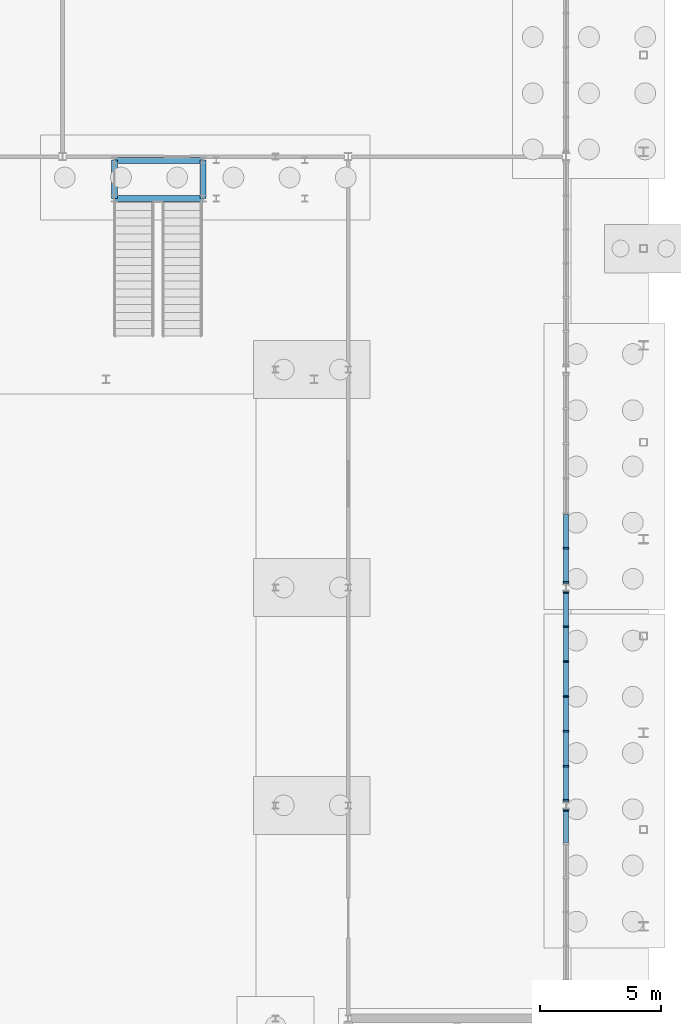
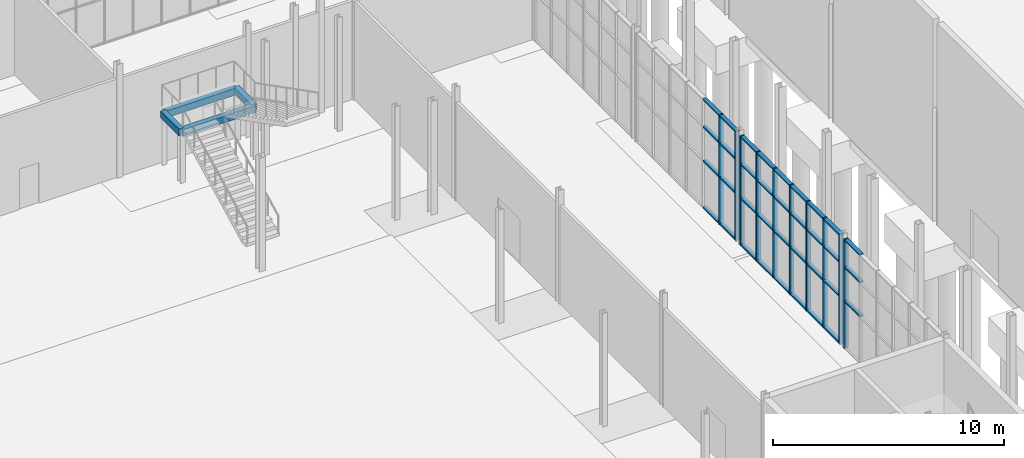
# One storey, part 69 of 131: 45 members, 4 beams, 3 elements without a shape of their own.
"""IFC4 building model written with IfcOpenShell, lengths in metres."""

import ifcopenshell
import ifcopenshell.guid

model = None  # the IFC model being written
_history = None  # IfcOwnerHistory: only IFC2X3 demands one
_inside = {}  # id of a spatial element -> (the spatial element, [elements in it])
_under = {}  # id of a project, library or spatial element -> (it, [spatial elements below it])
_declared = {}  # id of a project -> (the project, [libraries it declares])
_typed = {}  # id of a type object -> (the type object, [elements of that type])
_made_of = {}  # id of a material, layer set ... -> (it, [elements and type objects made of it])


def new_model(schema):
    """Start an empty IFC model of exactly this schema.

    Asked for "IFC4X3", IfcOpenShell would pick the latest addendum, in which some entities
    have other attributes; the version numbers below select the first issue.
    IFC2X3 requires an IfcOwnerHistory on every rooted entity: one is made here for all.
    """
    global model, _history
    if schema == "IFC4X3":
        model = ifcopenshell.file(schema_version=(4, 3, 0, 0))
    else:
        model = ifcopenshell.file(schema=schema)
    _inside.clear()
    _under.clear()
    _declared.clear()
    _typed.clear()
    _made_of.clear()
    _history = None
    if model.schema == "IFC2X3":
        org = make("IfcOrganization", Name="unknown")
        user = make(
            "IfcPersonAndOrganization",
            ThePerson=make("IfcPerson", FamilyName="unknown"),
            TheOrganization=org,
        )
        app = make(
            "IfcApplication",
            ApplicationDeveloper=org,
            Version="unknown",
            ApplicationFullName="unknown",
            ApplicationIdentifier="unknown",
        )
        _history = make(
            "IfcOwnerHistory",
            OwningUser=user,
            OwningApplication=app,
            ChangeAction="ADDED",
            CreationDate=0,
        )
    return model


def make(cls, **values):
    """One entity of the class cls with the attributes given. An attribute that is None is left unset."""
    return model.create_entity(
        cls, **{name: value for name, value in values.items() if value is not None}
    )


def rooted(cls, **values):
    """An entity with a GlobalId (a new one), such as an element, a storey or a relation."""
    return make(cls, GlobalId=ifcopenshell.guid.new(), OwnerHistory=_history, **values)


def si_unit(unit_type, name, prefix=None):
    """IfcSIUnit, for example si_unit("LENGTHUNIT", "METRE", prefix="MILLI")."""
    return make("IfcSIUnit", UnitType=unit_type, Prefix=prefix, Name=name)


def assignment(units):
    """IfcUnitAssignment: the units of a project."""
    return None if units is None else make("IfcUnitAssignment", Units=units)


def point(xyz):
    """IfcCartesianPoint."""
    return None if xyz is None else make("IfcCartesianPoint", Coordinates=xyz)


def direction(xyz):
    """IfcDirection."""
    return None if xyz is None else make("IfcDirection", DirectionRatios=xyz)


def frame(location, z_axis=None, x_axis=None):
    """IfcAxis2Placement3D, a coordinate frame: its origin and axes. An axis left out is left unset."""
    return make(
        "IfcAxis2Placement3D",
        Location=point(location),
        Axis=direction(z_axis),
        RefDirection=direction(x_axis),
    )


def frame_2d(location, x_axis=None):
    """IfcAxis2Placement2D, a coordinate frame in the plane: its origin and x axis."""
    return make(
        "IfcAxis2Placement2D", Location=point(location), RefDirection=direction(x_axis)
    )


def origin():
    """The frame at (0, 0, 0) with its axes left unset."""
    return frame((0.0, 0.0, 0.0))


def origin_2d():
    """The frame at (0, 0) in the plane with its x axis left unset."""
    return frame_2d((0.0, 0.0))


def place(relative_to, where):
    """IfcLocalPlacement: puts the frame where relative to a parent placement (None: the world)."""
    return make(
        "IfcLocalPlacement", PlacementRelTo=relative_to, RelativePlacement=where
    )


def context(
    kind, dimensions, precision=None, world=None, true_north=None, identifier=None
):
    """IfcGeometricRepresentationContext, for example the 3D "Model" context."""
    return make(
        "IfcGeometricRepresentationContext",
        ContextIdentifier=identifier,
        ContextType=kind,
        CoordinateSpaceDimension=dimensions,
        Precision=precision,
        WorldCoordinateSystem=world,
        TrueNorth=true_north,
    )


def subcontext(parent, identifier, kind, view, scale=None):
    """IfcGeometricRepresentationSubContext, for example "Body" below "Model"."""
    return make(
        "IfcGeometricRepresentationSubContext",
        ContextIdentifier=identifier,
        ContextType=kind,
        ParentContext=parent,
        TargetScale=scale,
        TargetView=view,
    )


def project(units=None, contexts=None):
    """IfcProject with its units and contexts."""
    return rooted(
        "IfcProject",
        Name="project",
        RepresentationContexts=contexts,
        UnitsInContext=assignment(units),
    )


def spatial(cls, under=None, at=None, **own):
    """A site, building, storey or space (cls), placed at a placement, below another one or the project."""
    s = rooted(cls, ObjectPlacement=at, **own)
    if under is not None:
        _under.setdefault(under.id(), (under, []))[1].append(s)
    return s


def profile(cls, at=None, kind="AREA", **sizes):
    """A parametric profile (cls). Its sizes go by their IFC names, for example OverallWidth=200.0."""
    return make(cls, ProfileType=kind, Position=at, **sizes)


def rectangle(**sizes):
    """IfcRectangleProfileDef."""
    return profile("IfcRectangleProfileDef", **sizes)


def hollow_rectangle(**sizes):
    """IfcRectangleHollowProfileDef."""
    return profile("IfcRectangleHollowProfileDef", **sizes)


def extrude(swept, where, along, depth):
    """IfcExtrudedAreaSolid: the profile swept, set in the frame where, extruded along a direction by depth."""
    return make(
        "IfcExtrudedAreaSolid",
        SweptArea=swept,
        Position=where,
        ExtrudedDirection=direction(along),
        Depth=depth,
    )


def shape(context_of_items, identifier, shape_type, items):
    """IfcShapeRepresentation: the items that make up one representation, for example the "Body"."""
    return make(
        "IfcShapeRepresentation",
        ContextOfItems=context_of_items,
        RepresentationIdentifier=identifier,
        RepresentationType=shape_type,
        Items=items,
    )


def material(Name=None, Category=None):
    """IfcMaterial."""
    return make("IfcMaterial", Name=Name, Category=Category)


def layer(
    of_material, thickness, ventilated=None, Name=None, Category=None, Priority=None
):
    """IfcMaterialLayer: one layer of a wall or slab, of a material (None: an air gap)."""
    return make(
        "IfcMaterialLayer",
        Material=of_material,
        LayerThickness=thickness,
        IsVentilated=ventilated,
        Name=Name,
        Category=Category,
        Priority=Priority,
    )


def layer_set(layers, Name=None):
    """IfcMaterialLayerSet."""
    return make("IfcMaterialLayerSet", MaterialLayers=layers, LayerSetName=Name)


def material_profile(
    of_material, cross_section, Name=None, Category=None, Priority=None
):
    """IfcMaterialProfile: a cross section and its material."""
    return make(
        "IfcMaterialProfile",
        Name=Name,
        Material=of_material,
        Profile=cross_section,
        Priority=Priority,
        Category=Category,
    )


def profile_set(profiles, Name=None, composite=None):
    """IfcMaterialProfileSet."""
    return make(
        "IfcMaterialProfileSet",
        Name=Name,
        MaterialProfiles=profiles,
        CompositeProfile=composite,
    )


def made_of(thing, what):
    """Note that an element or type object is made of a material, layer set ...; save() writes the relation."""
    if what is not None:
        _made_of.setdefault(what.id(), (what, []))[1].append(thing)
    return thing


def type_object(cls, material=None, **own):
    """A type object (cls), such as IfcWallType, which elements share."""
    return made_of(rooted(cls, **own), material)


def element(
    cls,
    number,
    at=None,
    inside=None,
    cuts=None,
    type_object=None,
    material=None,
    context=None,
    identifier="Body",
    shape_type=None,
    held_by="IfcProductDefinitionShape",
    body=None,
    shapes=None,
    **own,
):
    """One element of the class cls, such as IfcWall. Its Tag is "e" and its number.

    at: its placement. inside: the storey or other place that contains it. cuts: it is an
    opening in that element (IfcRelVoidsElement). A single representation is given by context,
    identifier, shape_type and body (its items); several are given by shapes. held_by: the class
    of the entity that holds the representations. save() writes the other relations.
    """
    e = rooted(cls, Tag="e%d" % number, ObjectPlacement=at, **own)
    if body is not None:
        shapes = [shape(context, identifier, shape_type, body)]
    if shapes is not None:
        e.Representation = make(held_by, Representations=shapes)
    if inside is not None:
        _inside.setdefault(inside.id(), (inside, []))[1].append(e)
    if cuts is not None:
        rooted(
            "IfcRelVoidsElement", RelatingBuildingElement=cuts, RelatedOpeningElement=e
        )
    if type_object is not None:
        _typed.setdefault(type_object.id(), (type_object, []))[1].append(e)
    return made_of(e, material)


def aggregate(whole, parts):
    """IfcRelAggregates: a whole, such as a stair, and the parts it consists of."""
    return rooted("IfcRelAggregates", RelatingObject=whole, RelatedObjects=parts)


def save(model, path):
    """Write the relations noted so far, then the file.

    IfcRelAggregates (storeys below a building ...), IfcRelContainedInSpatialStructure (elements
    in a storey), IfcRelDefinesByType, IfcRelAssociatesMaterial and IfcRelDeclares: one each for
    every whole, place, type object, material and project.
    """
    for whole, parts in _under.values():
        aggregate(whole, parts)
    for where, things in _inside.values():
        rooted(
            "IfcRelContainedInSpatialStructure",
            RelatedElements=things,
            RelatingStructure=where,
        )
    for kind, things in _typed.values():
        rooted("IfcRelDefinesByType", RelatedObjects=things, RelatingType=kind)
    for what, things in _made_of.values():
        rooted("IfcRelAssociatesMaterial", RelatedObjects=things, RelatingMaterial=what)
    for by, libraries in _declared.values():
        rooted("IfcRelDeclares", RelatingContext=by, RelatedDefinitions=libraries)
    model.write(path)


model = new_model("IFC4")

# Units and contexts
model_context = context("Model", 3, precision=1e-05, world=origin(), true_north=direction((0.0, 1.0)))
body_context = subcontext(model_context, "Body", "Model", "MODEL_VIEW")
ifc_project = project(units=[si_unit("LENGTHUNIT", "METRE"), si_unit("AREAUNIT", "SQUARE_METRE"), si_unit("VOLUMEUNIT", "CUBIC_METRE"), si_unit("PLANEANGLEUNIT", "RADIAN"), si_unit("MASSUNIT", "GRAM", prefix="KILO")], contexts=[model_context])

# Site, building, storey
site_placement = place(None, origin())
site = spatial("IfcSite", under=ifc_project, at=site_placement, CompositionType="ELEMENT")
building_placement = place(site_placement, origin())
building = spatial("IfcBuilding", under=site, at=building_placement, Name="Cazmaro Siding Exhibition Halls", CompositionType="ELEMENT")
storey_placement = place(building_placement, origin())
storey = spatial("IfcBuildingStorey", under=building, at=storey_placement, Name="L00", CompositionType="ELEMENT", Elevation=0.0)

# Beams
ifc_material_1 = material(Name="Steel ASTM A500 Grade C", Category="steel")
ifc_material_profile_1 = material_profile(ifc_material_1, hollow_rectangle(XDim=0.25390625, YDim=0.35595703125, WallThickness=0.014892578125, at=origin_2d()), Name="HSS14X10X5/8")
ifc_profile_set_1 = profile_set([ifc_material_profile_1], Name="Steel ASTM A500 Grade C")
beam_type = type_object("IfcBeamType", Name="B-06", PredefinedType="BEAM", material=ifc_profile_set_1)
for number, where, z_axis, x_axis, name in (
    (1, (149.14990234375, 110.070068359375, 2.6220703125), (1.0, 0.0, 0.0), (0.0, 1.0, 0.0), "Beam B-06 BM-2482"),
    (2, (149.14990234375, 111.64990234375, 2.6220703125), (1.0, 0.0, 0.0), (0.0, 1.0, 0.0), "Beam B-06 BM-2483"),
):
    element("IfcBeam", number, at=place(storey_placement, frame(where, z_axis=z_axis, x_axis=x_axis)), inside=storey, type_object=beam_type, Name=name, PredefinedType="BEAM", context=body_context, shape_type="SweptSolid", body=[
        extrude(hollow_rectangle(XDim=0.25390625, YDim=0.35595703125, WallThickness=0.014892578125, at=origin_2d()), origin(), (0.0, 0.0, 1.0), 3.66015625),
    ])
for number, where, z_axis, x_axis, name in (
    (3, (149.14990234375, 110.070068359375, 2.6220703125), (0.0, 1.0, 0.0), (-1.0, 0.0, 0.0), "Beam B-06 BM-2484"),
    (4, (152.81005859375, 110.070068359375, 2.6220703125), (0.0, 1.0, 0.0), (-1.0, 0.0, 0.0), "Beam B-06 BM-2485"),
):
    element("IfcBeam", number, at=place(storey_placement, frame(where, z_axis=z_axis, x_axis=x_axis)), inside=storey, type_object=beam_type, Name=name, PredefinedType="BEAM", context=body_context, shape_type="SweptSolid", body=[
        extrude(hollow_rectangle(XDim=0.25390625, YDim=0.35595703125, WallThickness=0.014892578125, at=origin_2d()), origin(), (0.0, 0.0, 1.0), 1.579833984375),
    ])

# Curtain wall, member
ifc_material_2 = material(Name="Anodized Bronze Aluminum and Solar-Control Low-E Glazing", Category="aluminium")
ifc_layer = layer(ifc_material_2, 0.219970703125)
ifc_layer_set = layer_set([ifc_layer], Name="Anodized Bronze Aluminum and Solar-Control Low-E Glazing")
curtain_wall_type = type_object("IfcCurtainWallType", Name="CWS-03", PredefinedType="USERDEFINED", material=ifc_layer_set)
curtain_wall_1_placement = place(storey_placement, origin())
curtain_wall_1 = element("IfcCurtainWall", 5, at=curtain_wall_1_placement, inside=storey, type_object=curtain_wall_type, Name="Glazed Curtain Wall CWS-03 CW-065", ObjectType="GLAZED CURTAIN WALL", PredefinedType="USERDEFINED")
ifc_material_3 = material(Name="Anodized Bronze Extruded Aluminum", Category="aluminium")
ifc_material_profile_2 = material_profile(ifc_material_3, rectangle(XDim=0.219970703125, YDim=0.070068359375, at=origin_2d()), Name="CWM-03")
ifc_profile_set_2 = profile_set([ifc_material_profile_2], Name="Anodized Bronze Extruded Aluminum")
member_type_1 = type_object("IfcMemberType", Name="CWM-03", PredefinedType="MULLION", material=ifc_profile_set_2)
member_1_placement = place(storey_placement, frame((167.800048828125, 84.7880859375, 0.0), z_axis=(0.0, 0.0, 1.0), x_axis=(-1.0, 0.0, 0.0)))
member_1 = element("IfcMember", 6, at=member_1_placement, type_object=member_type_1, Name="CWS-03 mullion 7", PredefinedType="MULLION", context=body_context, shape_type="SweptSolid", body=[
    extrude(rectangle(XDim=0.219970703125, YDim=0.070068359375, at=origin_2d()), origin(), (0.0, 0.0, 1.0), 5.780029296875),
])

# Curtain wall, members
curtain_wall_2_placement = place(storey_placement, origin())
curtain_wall_2 = element("IfcCurtainWall", 7, at=curtain_wall_2_placement, inside=storey, type_object=curtain_wall_type, Name="Glazed Curtain Wall CWS-03 CW-068", ObjectType="GLAZED CURTAIN WALL", PredefinedType="USERDEFINED")
member_2_placement = place(storey_placement, frame((167.800048828125, 85.2119140625, 0.0), z_axis=(0.0, 0.0, 1.0), x_axis=(-1.0, 0.0, 0.0)))
member_2 = element("IfcMember", 8, at=member_2_placement, type_object=member_type_1, Name="CWS-03 mullion 1", PredefinedType="MULLION", context=body_context, shape_type="SweptSolid", body=[
    extrude(rectangle(XDim=0.219970703125, YDim=0.070068359375, at=origin_2d()), origin(), (0.0, 0.0, 1.0), 5.780029296875),
])
member_3_placement = place(storey_placement, frame((167.800048828125, 86.617919921875, 0.0), z_axis=(0.0, 0.0, 1.0), x_axis=(-1.0, 0.0, 0.0)))
member_3 = element("IfcMember", 9, at=member_3_placement, type_object=member_type_1, Name="CWS-03 mullion 2", PredefinedType="MULLION", context=body_context, shape_type="SweptSolid", body=[
    extrude(rectangle(XDim=0.219970703125, YDim=0.070068359375, at=origin_2d()), origin(), (0.0, 0.0, 1.0), 5.780029296875),
])
member_4_placement = place(storey_placement, frame((167.800048828125, 88.05908203125, 0.0), z_axis=(0.0, 0.0, 1.0), x_axis=(-1.0, 0.0, 0.0)))
member_4 = element("IfcMember", 10, at=member_4_placement, type_object=member_type_1, Name="CWS-03 mullion 3", PredefinedType="MULLION", context=body_context, shape_type="SweptSolid", body=[
    extrude(rectangle(XDim=0.219970703125, YDim=0.070068359375, at=origin_2d()), origin(), (0.0, 0.0, 1.0), 5.780029296875),
])
member_5_placement = place(storey_placement, frame((167.800048828125, 89.5, 0.0), z_axis=(0.0, 0.0, 1.0), x_axis=(-1.0, 0.0, 0.0)))
member_5 = element("IfcMember", 11, at=member_5_placement, type_object=member_type_1, Name="CWS-03 mullion 4", PredefinedType="MULLION", context=body_context, shape_type="SweptSolid", body=[
    extrude(rectangle(XDim=0.219970703125, YDim=0.070068359375, at=origin_2d()), origin(), (0.0, 0.0, 1.0), 5.780029296875),
])
member_6_placement = place(storey_placement, frame((167.800048828125, 90.94091796875, 0.0), z_axis=(0.0, 0.0, 1.0), x_axis=(-1.0, 0.0, 0.0)))
member_6 = element("IfcMember", 12, at=member_6_placement, type_object=member_type_1, Name="CWS-03 mullion 5", PredefinedType="MULLION", context=body_context, shape_type="SweptSolid", body=[
    extrude(rectangle(XDim=0.219970703125, YDim=0.070068359375, at=origin_2d()), origin(), (0.0, 0.0, 1.0), 5.780029296875),
])
member_7_placement = place(storey_placement, frame((167.800048828125, 92.382080078125, 0.0), z_axis=(0.0, 0.0, 1.0), x_axis=(-1.0, 0.0, 0.0)))
member_7 = element("IfcMember", 13, at=member_7_placement, type_object=member_type_1, Name="CWS-03 mullion 6", PredefinedType="MULLION", context=body_context, shape_type="SweptSolid", body=[
    extrude(rectangle(XDim=0.219970703125, YDim=0.070068359375, at=origin_2d()), origin(), (0.0, 0.0, 1.0), 5.780029296875),
])
member_8_placement = place(storey_placement, frame((167.800048828125, 93.7880859375, 0.0), z_axis=(0.0, 0.0, 1.0), x_axis=(-1.0, 0.0, 0.0)))
member_8 = element("IfcMember", 14, at=member_8_placement, type_object=member_type_1, Name="CWS-03 mullion 7", PredefinedType="MULLION", context=body_context, shape_type="SweptSolid", body=[
    extrude(rectangle(XDim=0.219970703125, YDim=0.070068359375, at=origin_2d()), origin(), (0.0, 0.0, 1.0), 5.780029296875),
])

curtain_wall_3_placement = place(storey_placement, origin())
curtain_wall_3 = element("IfcCurtainWall", 15, at=curtain_wall_3_placement, inside=storey, type_object=curtain_wall_type, Name="Glazed Curtain Wall CWS-03 CW-071", ObjectType="GLAZED CURTAIN WALL", PredefinedType="USERDEFINED")
member_9_placement = place(storey_placement, frame((167.800048828125, 94.2119140625, 0.0), z_axis=(0.0, 0.0, 1.0), x_axis=(-1.0, 0.0, 0.0)))
member_9 = element("IfcMember", 16, at=member_9_placement, type_object=member_type_1, Name="CWS-03 mullion 1", PredefinedType="MULLION", context=body_context, shape_type="SweptSolid", body=[
    extrude(rectangle(XDim=0.219970703125, YDim=0.070068359375, at=origin_2d()), origin(), (0.0, 0.0, 1.0), 5.780029296875),
])
member_10_placement = place(storey_placement, frame((167.800048828125, 95.617919921875, 0.0), z_axis=(0.0, 0.0, 1.0), x_axis=(-1.0, 0.0, 0.0)))
member_10 = element("IfcMember", 17, at=member_10_placement, type_object=member_type_1, Name="CWS-03 mullion 2", PredefinedType="MULLION", context=body_context, shape_type="SweptSolid", body=[
    extrude(rectangle(XDim=0.219970703125, YDim=0.070068359375, at=origin_2d()), origin(), (0.0, 0.0, 1.0), 5.780029296875),
])

# Member
ifc_material_4 = material(Name="Anodized Bronze Extruded Aluminum", Category="aluminium")
ifc_material_profile_3 = material_profile(ifc_material_4, rectangle(XDim=0.199951171875, YDim=0.070068359375, at=origin_2d()), Name="CWT-03")
ifc_profile_set_3 = profile_set([ifc_material_profile_3], Name="Anodized Bronze Extruded Aluminum")
member_type_2 = type_object("IfcMemberType", Name="CWT-03", PredefinedType="MULLION", material=ifc_profile_set_3)
member_11_placement = place(storey_placement, frame((167.800048828125, 83.450439453125, 2.5), z_axis=(0.0, 1.0, 0.0), x_axis=(-1.0, 0.0, 0.0)))
member_11 = element("IfcMember", 18, at=member_11_placement, type_object=member_type_2, Name="CWS-03 transom 6.2", ObjectType="TRANSOM", PredefinedType="USERDEFINED", context=body_context, shape_type="SweptSolid", body=[
    extrude(rectangle(XDim=0.199951171875, YDim=0.070068359375, at=origin_2d()), origin(), (0.0, 0.0, 1.0), 1.302490234375),
])

member_12_placement = place(storey_placement, frame((167.800048828125, 83.450439453125, 4.300048828125), z_axis=(0.0, 1.0, 0.0), x_axis=(-1.0, 0.0, 0.0)))
member_12 = element("IfcMember", 19, at=member_12_placement, type_object=member_type_2, Name="CWS-03 transom 6.3", ObjectType="TRANSOM", PredefinedType="USERDEFINED", context=body_context, shape_type="SweptSolid", body=[
    extrude(rectangle(XDim=0.199951171875, YDim=0.070068359375, at=origin_2d()), origin(), (0.0, 0.0, 1.0), 1.302490234375),
])

member_13_placement = place(storey_placement, frame((167.800048828125, 83.450439453125, 5.7451171875), z_axis=(0.0, 1.0, 0.0), x_axis=(-1.0, 0.0, 0.0)))
member_13 = element("IfcMember", 20, at=member_13_placement, type_object=member_type_2, Name="CWS-03 transom 6.4", ObjectType="TRANSOM", PredefinedType="USERDEFINED", context=body_context, shape_type="SweptSolid", body=[
    extrude(rectangle(XDim=0.199951171875, YDim=0.070068359375, at=origin_2d()), origin(), (0.0, 0.0, 1.0), 1.302490234375),
])

aggregate(curtain_wall_1, [member_1, member_11, member_12, member_13])

member_14_placement = place(storey_placement, frame((167.800048828125, 85.2470703125, 0.034912109375), z_axis=(0.0, 1.0, 0.0), x_axis=(-1.0, 0.0, 0.0)))
member_14 = element("IfcMember", 21, at=member_14_placement, type_object=member_type_2, Name="CWS-03 transom 1.1", ObjectType="TRANSOM", PredefinedType="USERDEFINED", context=body_context, shape_type="SweptSolid", body=[
    extrude(rectangle(XDim=0.199951171875, YDim=0.070068359375, at=origin_2d()), origin(), (0.0, 0.0, 1.0), 1.3359375),
])

member_15_placement = place(storey_placement, frame((167.800048828125, 85.2470703125, 2.5), z_axis=(0.0, 1.0, 0.0), x_axis=(-1.0, 0.0, 0.0)))
member_15 = element("IfcMember", 22, at=member_15_placement, type_object=member_type_2, Name="CWS-03 transom 1.2", ObjectType="TRANSOM", PredefinedType="USERDEFINED", context=body_context, shape_type="SweptSolid", body=[
    extrude(rectangle(XDim=0.199951171875, YDim=0.070068359375, at=origin_2d()), origin(), (0.0, 0.0, 1.0), 1.3359375),
])

member_16_placement = place(storey_placement, frame((167.800048828125, 85.2470703125, 4.300048828125), z_axis=(0.0, 1.0, 0.0), x_axis=(-1.0, 0.0, 0.0)))
member_16 = element("IfcMember", 23, at=member_16_placement, type_object=member_type_2, Name="CWS-03 transom 1.3", ObjectType="TRANSOM", PredefinedType="USERDEFINED", context=body_context, shape_type="SweptSolid", body=[
    extrude(rectangle(XDim=0.199951171875, YDim=0.070068359375, at=origin_2d()), origin(), (0.0, 0.0, 1.0), 1.3359375),
])

member_17_placement = place(storey_placement, frame((167.800048828125, 85.2470703125, 5.7451171875), z_axis=(0.0, 1.0, 0.0), x_axis=(-1.0, 0.0, 0.0)))
member_17 = element("IfcMember", 24, at=member_17_placement, type_object=member_type_2, Name="CWS-03 transom 1.4", ObjectType="TRANSOM", PredefinedType="USERDEFINED", context=body_context, shape_type="SweptSolid", body=[
    extrude(rectangle(XDim=0.199951171875, YDim=0.070068359375, at=origin_2d()), origin(), (0.0, 0.0, 1.0), 1.3359375),
])

member_18_placement = place(storey_placement, frame((167.800048828125, 86.653076171875, 0.034912109375), z_axis=(0.0, 1.0, 0.0), x_axis=(-1.0, 0.0, 0.0)))
member_18 = element("IfcMember", 25, at=member_18_placement, type_object=member_type_2, Name="CWS-03 transom 2.1", ObjectType="TRANSOM", PredefinedType="USERDEFINED", context=body_context, shape_type="SweptSolid", body=[
    extrude(rectangle(XDim=0.199951171875, YDim=0.070068359375, at=origin_2d()), origin(), (0.0, 0.0, 1.0), 1.370849609375),
])

member_19_placement = place(storey_placement, frame((167.800048828125, 86.653076171875, 2.5), z_axis=(0.0, 1.0, 0.0), x_axis=(-1.0, 0.0, 0.0)))
member_19 = element("IfcMember", 26, at=member_19_placement, type_object=member_type_2, Name="CWS-03 transom 2.2", ObjectType="TRANSOM", PredefinedType="USERDEFINED", context=body_context, shape_type="SweptSolid", body=[
    extrude(rectangle(XDim=0.199951171875, YDim=0.070068359375, at=origin_2d()), origin(), (0.0, 0.0, 1.0), 1.370849609375),
])

member_20_placement = place(storey_placement, frame((167.800048828125, 86.653076171875, 4.300048828125), z_axis=(0.0, 1.0, 0.0), x_axis=(-1.0, 0.0, 0.0)))
member_20 = element("IfcMember", 27, at=member_20_placement, type_object=member_type_2, Name="CWS-03 transom 2.3", ObjectType="TRANSOM", PredefinedType="USERDEFINED", context=body_context, shape_type="SweptSolid", body=[
    extrude(rectangle(XDim=0.199951171875, YDim=0.070068359375, at=origin_2d()), origin(), (0.0, 0.0, 1.0), 1.370849609375),
])

member_21_placement = place(storey_placement, frame((167.800048828125, 86.653076171875, 5.7451171875), z_axis=(0.0, 1.0, 0.0), x_axis=(-1.0, 0.0, 0.0)))
member_21 = element("IfcMember", 28, at=member_21_placement, type_object=member_type_2, Name="CWS-03 transom 2.4", ObjectType="TRANSOM", PredefinedType="USERDEFINED", context=body_context, shape_type="SweptSolid", body=[
    extrude(rectangle(XDim=0.199951171875, YDim=0.070068359375, at=origin_2d()), origin(), (0.0, 0.0, 1.0), 1.370849609375),
])

member_22_placement = place(storey_placement, frame((167.800048828125, 88.093994140625, 0.034912109375), z_axis=(0.0, 1.0, 0.0), x_axis=(-1.0, 0.0, 0.0)))
member_22 = element("IfcMember", 29, at=member_22_placement, type_object=member_type_2, Name="CWS-03 transom 3.1", ObjectType="TRANSOM", PredefinedType="USERDEFINED", context=body_context, shape_type="SweptSolid", body=[
    extrude(rectangle(XDim=0.199951171875, YDim=0.070068359375, at=origin_2d()), origin(), (0.0, 0.0, 1.0), 1.37109375),
])

member_23_placement = place(storey_placement, frame((167.800048828125, 88.093994140625, 2.5), z_axis=(0.0, 1.0, 0.0), x_axis=(-1.0, 0.0, 0.0)))
member_23 = element("IfcMember", 30, at=member_23_placement, type_object=member_type_2, Name="CWS-03 transom 3.2", ObjectType="TRANSOM", PredefinedType="USERDEFINED", context=body_context, shape_type="SweptSolid", body=[
    extrude(rectangle(XDim=0.199951171875, YDim=0.070068359375, at=origin_2d()), origin(), (0.0, 0.0, 1.0), 1.37109375),
])

member_24_placement = place(storey_placement, frame((167.800048828125, 88.093994140625, 4.300048828125), z_axis=(0.0, 1.0, 0.0), x_axis=(-1.0, 0.0, 0.0)))
member_24 = element("IfcMember", 31, at=member_24_placement, type_object=member_type_2, Name="CWS-03 transom 3.3", ObjectType="TRANSOM", PredefinedType="USERDEFINED", context=body_context, shape_type="SweptSolid", body=[
    extrude(rectangle(XDim=0.199951171875, YDim=0.070068359375, at=origin_2d()), origin(), (0.0, 0.0, 1.0), 1.37109375),
])

member_25_placement = place(storey_placement, frame((167.800048828125, 88.093994140625, 5.7451171875), z_axis=(0.0, 1.0, 0.0), x_axis=(-1.0, 0.0, 0.0)))
member_25 = element("IfcMember", 32, at=member_25_placement, type_object=member_type_2, Name="CWS-03 transom 3.4", ObjectType="TRANSOM", PredefinedType="USERDEFINED", context=body_context, shape_type="SweptSolid", body=[
    extrude(rectangle(XDim=0.199951171875, YDim=0.070068359375, at=origin_2d()), origin(), (0.0, 0.0, 1.0), 1.37109375),
])

member_26_placement = place(storey_placement, frame((167.800048828125, 89.534912109375, 0.034912109375), z_axis=(0.0, 1.0, 0.0), x_axis=(-1.0, 0.0, 0.0)))
member_26 = element("IfcMember", 33, at=member_26_placement, type_object=member_type_2, Name="CWS-03 transom 4.1", ObjectType="TRANSOM", PredefinedType="USERDEFINED", context=body_context, shape_type="SweptSolid", body=[
    extrude(rectangle(XDim=0.199951171875, YDim=0.070068359375, at=origin_2d()), origin(), (0.0, 0.0, 1.0), 1.37109375),
])

member_27_placement = place(storey_placement, frame((167.800048828125, 89.534912109375, 2.5), z_axis=(0.0, 1.0, 0.0), x_axis=(-1.0, 0.0, 0.0)))
member_27 = element("IfcMember", 34, at=member_27_placement, type_object=member_type_2, Name="CWS-03 transom 4.2", ObjectType="TRANSOM", PredefinedType="USERDEFINED", context=body_context, shape_type="SweptSolid", body=[
    extrude(rectangle(XDim=0.199951171875, YDim=0.070068359375, at=origin_2d()), origin(), (0.0, 0.0, 1.0), 1.37109375),
])

member_28_placement = place(storey_placement, frame((167.800048828125, 89.534912109375, 4.300048828125), z_axis=(0.0, 1.0, 0.0), x_axis=(-1.0, 0.0, 0.0)))
member_28 = element("IfcMember", 35, at=member_28_placement, type_object=member_type_2, Name="CWS-03 transom 4.3", ObjectType="TRANSOM", PredefinedType="USERDEFINED", context=body_context, shape_type="SweptSolid", body=[
    extrude(rectangle(XDim=0.199951171875, YDim=0.070068359375, at=origin_2d()), origin(), (0.0, 0.0, 1.0), 1.37109375),
])

member_29_placement = place(storey_placement, frame((167.800048828125, 89.534912109375, 5.7451171875), z_axis=(0.0, 1.0, 0.0), x_axis=(-1.0, 0.0, 0.0)))
member_29 = element("IfcMember", 36, at=member_29_placement, type_object=member_type_2, Name="CWS-03 transom 4.4", ObjectType="TRANSOM", PredefinedType="USERDEFINED", context=body_context, shape_type="SweptSolid", body=[
    extrude(rectangle(XDim=0.199951171875, YDim=0.070068359375, at=origin_2d()), origin(), (0.0, 0.0, 1.0), 1.37109375),
])

member_30_placement = place(storey_placement, frame((167.800048828125, 90.97607421875, 0.034912109375), z_axis=(0.0, 1.0, 0.0), x_axis=(-1.0, 0.0, 0.0)))
member_30 = element("IfcMember", 37, at=member_30_placement, type_object=member_type_2, Name="CWS-03 transom 5.1", ObjectType="TRANSOM", PredefinedType="USERDEFINED", context=body_context, shape_type="SweptSolid", body=[
    extrude(rectangle(XDim=0.199951171875, YDim=0.070068359375, at=origin_2d()), origin(), (0.0, 0.0, 1.0), 1.370849609375),
])

member_31_placement = place(storey_placement, frame((167.800048828125, 90.97607421875, 2.5), z_axis=(0.0, 1.0, 0.0), x_axis=(-1.0, 0.0, 0.0)))
member_31 = element("IfcMember", 38, at=member_31_placement, type_object=member_type_2, Name="CWS-03 transom 5.2", ObjectType="TRANSOM", PredefinedType="USERDEFINED", context=body_context, shape_type="SweptSolid", body=[
    extrude(rectangle(XDim=0.199951171875, YDim=0.070068359375, at=origin_2d()), origin(), (0.0, 0.0, 1.0), 1.370849609375),
])

member_32_placement = place(storey_placement, frame((167.800048828125, 90.97607421875, 4.300048828125), z_axis=(0.0, 1.0, 0.0), x_axis=(-1.0, 0.0, 0.0)))
member_32 = element("IfcMember", 39, at=member_32_placement, type_object=member_type_2, Name="CWS-03 transom 5.3", ObjectType="TRANSOM", PredefinedType="USERDEFINED", context=body_context, shape_type="SweptSolid", body=[
    extrude(rectangle(XDim=0.199951171875, YDim=0.070068359375, at=origin_2d()), origin(), (0.0, 0.0, 1.0), 1.370849609375),
])

member_33_placement = place(storey_placement, frame((167.800048828125, 90.97607421875, 5.7451171875), z_axis=(0.0, 1.0, 0.0), x_axis=(-1.0, 0.0, 0.0)))
member_33 = element("IfcMember", 40, at=member_33_placement, type_object=member_type_2, Name="CWS-03 transom 5.4", ObjectType="TRANSOM", PredefinedType="USERDEFINED", context=body_context, shape_type="SweptSolid", body=[
    extrude(rectangle(XDim=0.199951171875, YDim=0.070068359375, at=origin_2d()), origin(), (0.0, 0.0, 1.0), 1.370849609375),
])

member_34_placement = place(storey_placement, frame((167.800048828125, 92.4169921875, 0.034912109375), z_axis=(0.0, 1.0, 0.0), x_axis=(-1.0, 0.0, 0.0)))
member_34 = element("IfcMember", 41, at=member_34_placement, type_object=member_type_2, Name="CWS-03 transom 6.1", ObjectType="TRANSOM", PredefinedType="USERDEFINED", context=body_context, shape_type="SweptSolid", body=[
    extrude(rectangle(XDim=0.199951171875, YDim=0.070068359375, at=origin_2d()), origin(), (0.0, 0.0, 1.0), 1.3359375),
])

member_35_placement = place(storey_placement, frame((167.800048828125, 92.4169921875, 2.5), z_axis=(0.0, 1.0, 0.0), x_axis=(-1.0, 0.0, 0.0)))
member_35 = element("IfcMember", 42, at=member_35_placement, type_object=member_type_2, Name="CWS-03 transom 6.2", ObjectType="TRANSOM", PredefinedType="USERDEFINED", context=body_context, shape_type="SweptSolid", body=[
    extrude(rectangle(XDim=0.199951171875, YDim=0.070068359375, at=origin_2d()), origin(), (0.0, 0.0, 1.0), 1.3359375),
])

member_36_placement = place(storey_placement, frame((167.800048828125, 92.4169921875, 4.300048828125), z_axis=(0.0, 1.0, 0.0), x_axis=(-1.0, 0.0, 0.0)))
member_36 = element("IfcMember", 43, at=member_36_placement, type_object=member_type_2, Name="CWS-03 transom 6.3", ObjectType="TRANSOM", PredefinedType="USERDEFINED", context=body_context, shape_type="SweptSolid", body=[
    extrude(rectangle(XDim=0.199951171875, YDim=0.070068359375, at=origin_2d()), origin(), (0.0, 0.0, 1.0), 1.3359375),
])

member_37_placement = place(storey_placement, frame((167.800048828125, 92.4169921875, 5.7451171875), z_axis=(0.0, 1.0, 0.0), x_axis=(-1.0, 0.0, 0.0)))
member_37 = element("IfcMember", 44, at=member_37_placement, type_object=member_type_2, Name="CWS-03 transom 6.4", ObjectType="TRANSOM", PredefinedType="USERDEFINED", context=body_context, shape_type="SweptSolid", body=[
    extrude(rectangle(XDim=0.199951171875, YDim=0.070068359375, at=origin_2d()), origin(), (0.0, 0.0, 1.0), 1.3359375),
])

aggregate(curtain_wall_2, [member_2, member_3, member_4, member_5, member_6, member_7, member_8, member_14, member_15, member_16, member_17, member_18, member_19, member_20, member_21, member_22, member_23, member_24, member_25, member_26, member_27, member_28, member_29, member_30, member_31, member_32, member_33, member_34, member_35, member_36, member_37])

member_38_placement = place(storey_placement, frame((167.800048828125, 94.2470703125, 0.034912109375), z_axis=(0.0, 1.0, 0.0), x_axis=(-1.0, 0.0, 0.0)))
member_38 = element("IfcMember", 45, at=member_38_placement, type_object=member_type_2, Name="CWS-03 transom 1.1", ObjectType="TRANSOM", PredefinedType="USERDEFINED", context=body_context, shape_type="SweptSolid", body=[
    extrude(rectangle(XDim=0.199951171875, YDim=0.070068359375, at=origin_2d()), origin(), (0.0, 0.0, 1.0), 1.3359375),
])

member_39_placement = place(storey_placement, frame((167.800048828125, 94.2470703125, 2.5), z_axis=(0.0, 1.0, 0.0), x_axis=(-1.0, 0.0, 0.0)))
member_39 = element("IfcMember", 46, at=member_39_placement, type_object=member_type_2, Name="CWS-03 transom 1.2", ObjectType="TRANSOM", PredefinedType="USERDEFINED", context=body_context, shape_type="SweptSolid", body=[
    extrude(rectangle(XDim=0.199951171875, YDim=0.070068359375, at=origin_2d()), origin(), (0.0, 0.0, 1.0), 1.3359375),
])

member_40_placement = place(storey_placement, frame((167.800048828125, 94.2470703125, 4.300048828125), z_axis=(0.0, 1.0, 0.0), x_axis=(-1.0, 0.0, 0.0)))
member_40 = element("IfcMember", 47, at=member_40_placement, type_object=member_type_2, Name="CWS-03 transom 1.3", ObjectType="TRANSOM", PredefinedType="USERDEFINED", context=body_context, shape_type="SweptSolid", body=[
    extrude(rectangle(XDim=0.199951171875, YDim=0.070068359375, at=origin_2d()), origin(), (0.0, 0.0, 1.0), 1.3359375),
])

member_41_placement = place(storey_placement, frame((167.800048828125, 94.2470703125, 5.7451171875), z_axis=(0.0, 1.0, 0.0), x_axis=(-1.0, 0.0, 0.0)))
member_41 = element("IfcMember", 48, at=member_41_placement, type_object=member_type_2, Name="CWS-03 transom 1.4", ObjectType="TRANSOM", PredefinedType="USERDEFINED", context=body_context, shape_type="SweptSolid", body=[
    extrude(rectangle(XDim=0.199951171875, YDim=0.070068359375, at=origin_2d()), origin(), (0.0, 0.0, 1.0), 1.3359375),
])

member_42_placement = place(storey_placement, frame((167.800048828125, 95.653076171875, 0.034912109375), z_axis=(0.0, 1.0, 0.0), x_axis=(-1.0, 0.0, 0.0)))
member_42 = element("IfcMember", 49, at=member_42_placement, type_object=member_type_2, Name="CWS-03 transom 2.1", ObjectType="TRANSOM", PredefinedType="USERDEFINED", context=body_context, shape_type="SweptSolid", body=[
    extrude(rectangle(XDim=0.199951171875, YDim=0.070068359375, at=origin_2d()), origin(), (0.0, 0.0, 1.0), 1.370849609375),
])

member_43_placement = place(storey_placement, frame((167.800048828125, 95.653076171875, 2.5), z_axis=(0.0, 1.0, 0.0), x_axis=(-1.0, 0.0, 0.0)))
member_43 = element("IfcMember", 50, at=member_43_placement, type_object=member_type_2, Name="CWS-03 transom 2.2", ObjectType="TRANSOM", PredefinedType="USERDEFINED", context=body_context, shape_type="SweptSolid", body=[
    extrude(rectangle(XDim=0.199951171875, YDim=0.070068359375, at=origin_2d()), origin(), (0.0, 0.0, 1.0), 1.370849609375),
])

member_44_placement = place(storey_placement, frame((167.800048828125, 95.653076171875, 4.300048828125), z_axis=(0.0, 1.0, 0.0), x_axis=(-1.0, 0.0, 0.0)))
member_44 = element("IfcMember", 51, at=member_44_placement, type_object=member_type_2, Name="CWS-03 transom 2.3", ObjectType="TRANSOM", PredefinedType="USERDEFINED", context=body_context, shape_type="SweptSolid", body=[
    extrude(rectangle(XDim=0.199951171875, YDim=0.070068359375, at=origin_2d()), origin(), (0.0, 0.0, 1.0), 1.370849609375),
])

member_45_placement = place(storey_placement, frame((167.800048828125, 95.653076171875, 5.7451171875), z_axis=(0.0, 1.0, 0.0), x_axis=(-1.0, 0.0, 0.0)))
member_45 = element("IfcMember", 52, at=member_45_placement, type_object=member_type_2, Name="CWS-03 transom 2.4", ObjectType="TRANSOM", PredefinedType="USERDEFINED", context=body_context, shape_type="SweptSolid", body=[
    extrude(rectangle(XDim=0.199951171875, YDim=0.070068359375, at=origin_2d()), origin(), (0.0, 0.0, 1.0), 1.370849609375),
])

aggregate(curtain_wall_3, [member_9, member_10, member_38, member_39, member_40, member_41, member_42, member_43, member_44, member_45])

save(model, "model.ifc")
